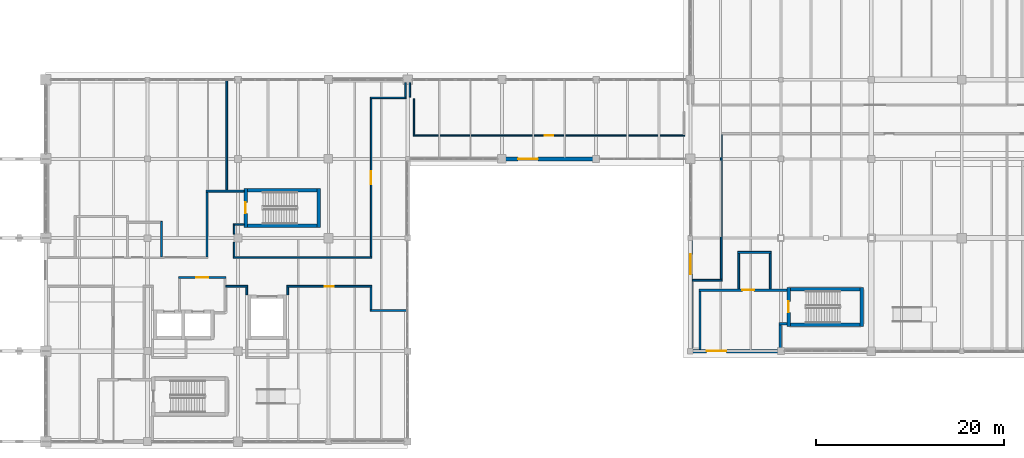
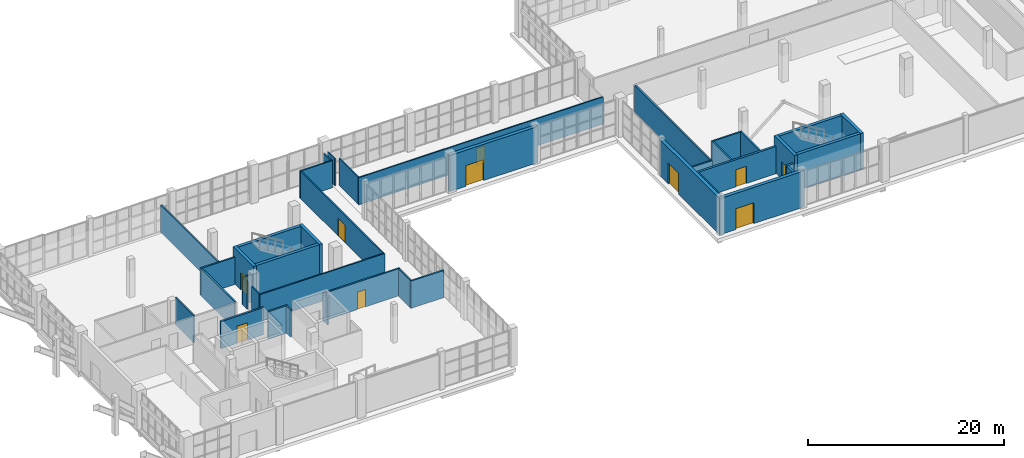
# One storey, part 99 of 121: 41 walls, 10 doors, 10 openings.
"""IFC4 building model written with IfcOpenShell, lengths in metres."""

from ifc_helpers import new_model, si_unit, direction, frame, frame_2d, origin, place, context, subcontext, project, spatial, rectangle, extrude, material, layer, layer_set, type_object, element, fill, save


model = new_model("IFC4")

# Units and contexts
model_context = context("Model", 3, precision=1e-05, world=origin(), true_north=direction((0.0, 1.0)))
body_context = subcontext(model_context, "Body", "Model", "MODEL_VIEW")
ifc_project = project(units=[si_unit("LENGTHUNIT", "METRE"), si_unit("AREAUNIT", "SQUARE_METRE"), si_unit("VOLUMEUNIT", "CUBIC_METRE"), si_unit("PLANEANGLEUNIT", "RADIAN"), si_unit("MASSUNIT", "GRAM", prefix="KILO")], contexts=[model_context])

# Site, building, storey
site_placement = place(None, origin())
site = spatial("IfcSite", under=ifc_project, at=site_placement, CompositionType="ELEMENT")
building_placement = place(site_placement, origin())
building = spatial("IfcBuilding", under=site, at=building_placement, Name="Zereglee Splitstone Museum", CompositionType="ELEMENT")
storey_placement = place(building_placement, origin())
storey = spatial("IfcBuildingStorey", under=building, at=storey_placement, Name="L00", CompositionType="ELEMENT", Elevation=0.0)

# Wall, opening, door
ifc_material_1 = material(Name="Concrete C45/55", Category="concrete")
ifc_layer_1 = layer(ifc_material_1, 0.360107421875)
ifc_layer_set_1 = layer_set([ifc_layer_1], Name="Concrete C45/55")
wall_type_1 = type_object("IfcWallType", Name="CSW-02", PredefinedType="SHEAR", material=ifc_layer_set_1)
wall_1_placement = place(storey_placement, frame((30.820068359375, 22.739990234375, 0.0), z_axis=(0.0, 0.0, 1.0), x_axis=(0.0, 1.0, 0.0)))
wall_1 = element("IfcWall", 1, at=wall_1_placement, inside=storey, type_object=wall_type_1, Name="Stair Core Shear Wall ST-02 L00 West", PredefinedType="SHEAR", context=body_context, shape_type="SweptSolid", body=[
    extrude(rectangle(XDim=4.1201171875, YDim=0.360107421875, at=frame_2d((2.06005859375, 0.0))), origin(), (0.0, 0.0, 1.0), 4.5),
])
opening_1_placement = place(wall_1_placement, frame((1.485107421875, 0.0, 0.0)))
opening_1 = element("IfcOpeningElement", 2, at=opening_1_placement, cuts=wall_1, Name="Opening ID-03", PredefinedType="OPENING", context=body_context, shape_type="SweptSolid", body=[
    extrude(rectangle(XDim=1.14990234375, YDim=2.14990234375, at=frame_2d((0.574951171875, 1.074951171875))), frame((0.0, 0.19482421875, 0.0), z_axis=(0.0, -1.0, 0.0), x_axis=(1.0, 0.0, 0.0)), (0.0, 0.0, 1.0), 0.389892578125),
])
ifc_material_2 = material(Name="Fire-rated steel and Siberian larch leaf", Category="steel")
door_type_1 = type_object("IfcDoorType", Name="ID-03", OperationType="NOTDEFINED", PredefinedType="DOOR", material=ifc_material_2)
door_1_placement = place(opening_1_placement, origin())
door_1 = element("IfcDoor", 3, at=door_1_placement, inside=storey, type_object=door_type_1, Name="Protected Stair Fire Door ST-02 L00", OperationType="SINGLE_SWING_RIGHT", OverallHeight=2.14990234375, OverallWidth=1.14990234375, PredefinedType="DOOR", context=body_context, shape_type="SweptSolid", body=[
    extrude(rectangle(XDim=1.14990234375, YDim=2.14990234375, at=frame_2d((0.574951171875, 1.074951171875))), frame((0.0, 0.02490234375, 0.0), z_axis=(0.0, -1.0, 0.0), x_axis=(1.0, 0.0, 0.0)), (0.0, 0.0, 1.0), 0.050048828125),
])
fill(opening_1, door_1)

# Walls
wall_2_placement = place(storey_placement, frame((38.580078125, 22.739990234375, 0.0), z_axis=(0.0, 0.0, 1.0), x_axis=(0.0, 1.0, 0.0)))
element("IfcWall", 4, at=wall_2_placement, inside=storey, type_object=wall_type_1, Name="Stair Core Shear Wall ST-02 L00 East", PredefinedType="SHEAR", context=body_context, shape_type="SweptSolid", body=[
    extrude(rectangle(XDim=4.1201171875, YDim=0.360107421875, at=frame_2d((2.06005859375, 0.0))), origin(), (0.0, 0.0, 1.0), 4.5),
])
for number, where, z_axis, x_axis, name in (
    (5, (31.0, 26.679931640625, 0.0), (0.0, 0.0, 1.0), (1.0, 0.0, 0.0), "Stair Core Shear Wall ST-02 L00 North"),
    (6, (31.0, 22.919921875, 0.0), (0.0, 0.0, 1.0), (1.0, 0.0, 0.0), "Stair Core Shear Wall ST-02 L00 South"),
):
    element("IfcWall", number, at=place(storey_placement, frame(where, z_axis=z_axis, x_axis=x_axis)), inside=storey, type_object=wall_type_1, Name=name, PredefinedType="SHEAR", context=body_context, shape_type="SweptSolid", body=[
        extrude(rectangle(XDim=7.39990234375, YDim=0.360107421875, at=frame_2d((3.699951171875, 0.0))), origin(), (0.0, 0.0, 1.0), 4.5),
    ])

# Wall, opening, door
wall_3_placement = place(storey_placement, frame((88.419921875, 12.239990234375, 0.0), z_axis=(0.0, 0.0, 1.0), x_axis=(0.0, 1.0, 0.0)))
wall_3 = element("IfcWall", 7, at=wall_3_placement, inside=storey, type_object=wall_type_1, Name="Stair Core Shear Wall ST-06 L00 West", PredefinedType="SHEAR", context=body_context, shape_type="SweptSolid", body=[
    extrude(rectangle(XDim=4.1201171875, YDim=0.360107421875, at=frame_2d((2.06005859375, 0.0))), origin(), (0.0, 0.0, 1.0), 4.5),
])
opening_2_placement = place(wall_3_placement, frame((1.485107421875, 0.0, 0.0)))
opening_2 = element("IfcOpeningElement", 8, at=opening_2_placement, cuts=wall_3, Name="Opening ID-03", PredefinedType="OPENING", context=body_context, shape_type="SweptSolid", body=[
    extrude(rectangle(XDim=1.14990234375, YDim=2.14990234375, at=frame_2d((0.574951171875, 1.074951171875))), frame((0.0, 0.19482421875, 0.0), z_axis=(0.0, -1.0, 0.0), x_axis=(1.0, 0.0, 0.0)), (0.0, 0.0, 1.0), 0.389892578125),
])
door_2_placement = place(opening_2_placement, origin())
door_2 = element("IfcDoor", 9, at=door_2_placement, inside=storey, type_object=door_type_1, Name="Protected Stair Fire Door ST-06 L00", OperationType="SINGLE_SWING_RIGHT", OverallHeight=2.14990234375, OverallWidth=1.14990234375, PredefinedType="DOOR", context=body_context, shape_type="SweptSolid", body=[
    extrude(rectangle(XDim=1.14990234375, YDim=2.14990234375, at=frame_2d((0.574951171875, 1.074951171875))), frame((0.0, 0.02490234375, 0.0), z_axis=(0.0, -1.0, 0.0), x_axis=(1.0, 0.0, 0.0)), (0.0, 0.0, 1.0), 0.050048828125),
])
fill(opening_2, door_2)

# Walls
wall_4_placement = place(storey_placement, frame((96.179931640625, 12.239990234375, 0.0), z_axis=(0.0, 0.0, 1.0), x_axis=(0.0, 1.0, 0.0)))
element("IfcWall", 10, at=wall_4_placement, inside=storey, type_object=wall_type_1, Name="Stair Core Shear Wall ST-06 L00 East", PredefinedType="SHEAR", context=body_context, shape_type="SweptSolid", body=[
    extrude(rectangle(XDim=4.1201171875, YDim=0.360107421875, at=frame_2d((2.06005859375, 0.0))), origin(), (0.0, 0.0, 1.0), 4.5),
])
for number, where, z_axis, x_axis, name in (
    (11, (88.60009765625, 16.179931640625, 0.0), (0.0, 0.0, 1.0), (1.0, 0.0, 0.0), "Stair Core Shear Wall ST-06 L00 North"),
    (12, (88.60009765625, 12.419921875, 0.0), (0.0, 0.0, 1.0), (1.0, 0.0, 0.0), "Stair Core Shear Wall ST-06 L00 South"),
):
    element("IfcWall", number, at=place(storey_placement, frame(where, z_axis=z_axis, x_axis=x_axis)), inside=storey, type_object=wall_type_1, Name=name, PredefinedType="SHEAR", context=body_context, shape_type="SweptSolid", body=[
        extrude(rectangle(XDim=7.39990234375, YDim=0.360107421875, at=frame_2d((3.699951171875, 0.0))), origin(), (0.0, 0.0, 1.0), 4.5),
    ])

# Wall, opening, door
ifc_material_3 = material(Name="Concrete C40/50", Category="concrete")
ifc_layer_2 = layer(ifc_material_3, 0.39990234375)
ifc_layer_set_2 = layer_set([ifc_layer_2], Name="Concrete C40/50")
wall_type_2 = type_object("IfcWallType", Name="EW-02", PredefinedType="STANDARD", material=ifc_layer_set_2)
wall_5_placement = place(storey_placement, frame((57.820068359375, 30.0, 0.0), z_axis=(0.0, 0.0, 1.0), x_axis=(1.0, 0.0, 0.0)))
wall_5 = element("IfcWall", 13, at=wall_5_placement, inside=storey, type_object=wall_type_2, Name="Exterior Backup Wall RC4-EW-L00-0011", PredefinedType="STANDARD", context=body_context, shape_type="SweptSolid", body=[
    extrude(rectangle(XDim=10.35986328125, YDim=0.39990234375, at=frame_2d((5.179931640625, 0.0))), origin(), (0.0, 0.0, 1.0), 4.5),
])
opening_3_placement = place(wall_5_placement, frame((1.89990234375, 0.0, 0.0)))
opening_3 = element("IfcOpeningElement", 14, at=opening_3_placement, cuts=wall_5, Name="Opening ED-02", PredefinedType="OPENING", context=body_context, shape_type="SweptSolid", body=[
    extrude(rectangle(XDim=2.10009765625, YDim=2.60009765625, at=frame_2d((1.050048828125, 1.300048828125))), frame((0.0, 0.21484375, 0.0), z_axis=(0.0, -1.0, 0.0), x_axis=(1.0, 0.0, 0.0)), (0.0, 0.0, 1.0), 0.4296875),
])
ifc_material_4 = material(Name="Anodised bronze-clad thermally broken aluminium", Category="aluminium")
door_type_2 = type_object("IfcDoorType", Name="ED-02", OperationType="DOUBLE_DOOR_SINGLE_SWING", PredefinedType="DOOR", material=ifc_material_4)
door_3_placement = place(opening_3_placement, frame((2.10009765625, 0.0, 0.0), z_axis=(0.0, 0.0, 1.0), x_axis=(-1.0, 0.0, 0.0)))
door_3 = element("IfcDoor", 15, at=door_3_placement, inside=storey, type_object=door_type_2, Name="Ground Protected Exit Door ED-L00-10", OperationType="DOUBLE_DOOR_SINGLE_SWING", OverallHeight=2.60009765625, OverallWidth=2.10009765625, PredefinedType="DOOR", context=body_context, shape_type="SweptSolid", body=[
    extrude(rectangle(XDim=2.10009765625, YDim=2.60009765625, at=frame_2d((1.050048828125, 1.300048828125))), frame((0.0, 0.02490234375, 0.0), z_axis=(0.0, -1.0, 0.0), x_axis=(1.0, 0.0, 0.0)), (0.0, 0.0, 1.0), 0.050048828125),
])
fill(opening_3, door_3)

wall_6_placement = place(storey_placement, frame((78.0, 21.780029296875, 0.0), z_axis=(0.0, 0.0, 1.0), x_axis=(0.0, -1.0, 0.0)))
wall_6 = element("IfcWall", 16, at=wall_6_placement, inside=storey, type_object=wall_type_2, Name="Exterior Backup Wall RC4-EW-L00-0012", PredefinedType="STANDARD", context=body_context, shape_type="SweptSolid", body=[
    extrude(rectangle(XDim=12.360107421875, YDim=0.39990234375, at=frame_2d((6.18017578125, 0.0))), origin(), (0.0, 0.0, 1.0), 4.5),
])
opening_4_placement = place(wall_6_placement, frame((1.89990234375, 0.0, 0.0)))
opening_4 = element("IfcOpeningElement", 17, at=opening_4_placement, cuts=wall_6, Name="Opening ED-02", PredefinedType="OPENING", context=body_context, shape_type="SweptSolid", body=[
    extrude(rectangle(XDim=2.10009765625, YDim=2.60009765625, at=frame_2d((1.050048828125, 1.300048828125))), frame((0.0, 0.21484375, 0.0), z_axis=(0.0, -1.0, 0.0), x_axis=(1.0, 0.0, 0.0)), (0.0, 0.0, 1.0), 0.4296875),
])
door_4_placement = place(opening_4_placement, frame((2.10009765625, 0.0, 0.0), z_axis=(0.0, 0.0, 1.0), x_axis=(-1.0, 0.0, 0.0)))
door_4 = element("IfcDoor", 18, at=door_4_placement, inside=storey, type_object=door_type_2, Name="Ground Protected Exit Door ED-L00-11", OperationType="DOUBLE_DOOR_SINGLE_SWING", OverallHeight=2.60009765625, OverallWidth=2.10009765625, PredefinedType="DOOR", context=body_context, shape_type="SweptSolid", body=[
    extrude(rectangle(XDim=2.10009765625, YDim=2.60009765625, at=frame_2d((1.050048828125, 1.300048828125))), frame((0.0, 0.02490234375, 0.0), z_axis=(0.0, -1.0, 0.0), x_axis=(1.0, 0.0, 0.0)), (0.0, 0.0, 1.0), 0.050048828125),
])
fill(opening_4, door_4)

wall_7_placement = place(storey_placement, frame((77.820068359375, 9.60009765625, 0.0), z_axis=(0.0, 0.0, 1.0), x_axis=(1.0, 0.0, 0.0)))
wall_7 = element("IfcWall", 19, at=wall_7_placement, inside=storey, type_object=wall_type_2, Name="Exterior Backup Wall RC4-EW-L00-0013", PredefinedType="STANDARD", context=body_context, shape_type="SweptSolid", body=[
    extrude(rectangle(XDim=9.9599609375, YDim=0.39990234375, at=frame_2d((4.97998046875, 0.0))), origin(), (0.0, 0.0, 1.0), 4.5),
])
opening_5_placement = place(wall_7_placement, frame((1.89990234375, 0.0, 0.0)))
opening_5 = element("IfcOpeningElement", 20, at=opening_5_placement, cuts=wall_7, Name="Opening ED-02", PredefinedType="OPENING", context=body_context, shape_type="SweptSolid", body=[
    extrude(rectangle(XDim=2.10009765625, YDim=2.60009765625, at=frame_2d((1.050048828125, 1.300048828125))), frame((0.0, 0.21484375, 0.0), z_axis=(0.0, -1.0, 0.0), x_axis=(1.0, 0.0, 0.0)), (0.0, 0.0, 1.0), 0.4296875),
])
door_5_placement = place(opening_5_placement, frame((2.10009765625, 0.0, 0.0), z_axis=(0.0, 0.0, 1.0), x_axis=(-1.0, 0.0, 0.0)))
door_5 = element("IfcDoor", 21, at=door_5_placement, inside=storey, type_object=door_type_2, Name="Ground Protected Exit Door ED-L00-12", OperationType="DOUBLE_DOOR_SINGLE_SWING", OverallHeight=2.60009765625, OverallWidth=2.10009765625, PredefinedType="DOOR", context=body_context, shape_type="SweptSolid", body=[
    extrude(rectangle(XDim=2.10009765625, YDim=2.60009765625, at=frame_2d((1.050048828125, 1.300048828125))), frame((0.0, 0.02490234375, 0.0), z_axis=(0.0, -1.0, 0.0), x_axis=(1.0, 0.0, 0.0)), (0.0, 0.0, 1.0), 0.050048828125),
])
fill(opening_5, door_5)

# Wall
ifc_layer_3 = layer(ifc_material_3, 0.25)
ifc_layer_set_3 = layer_set([ifc_layer_3], Name="Concrete C40/50")
wall_type_3 = type_object("IfcWallType", Name="IW-03", PredefinedType="PARTITIONING", material=ifc_layer_set_3)
wall_8_placement = place(storey_placement, frame((87.39501953125, 12.52001953125, 0.0), z_axis=(0.0, 0.0, 1.0), x_axis=(1.0, 0.0, 0.0)))
element("IfcWall", 22, at=wall_8_placement, inside=storey, type_object=wall_type_3, Name="Interior Partition L00-0166 (Protected Exit Passageway ST-06)", PredefinedType="PARTITIONING", context=body_context, shape_type="SweptSolid", body=[
    extrude(rectangle(XDim=0.844970703125, YDim=0.25, at=frame_2d((0.42236328125, 0.0))), origin(), (0.0, 0.0, 1.0), 3.3798828125),
])

# Wall, opening, door
wall_9_placement = place(storey_placement, frame((78.89501953125, 16.080078125, 0.0), z_axis=(0.0, 0.0, 1.0), x_axis=(1.0, 0.0, 0.0)))
wall_9 = element("IfcWall", 23, at=wall_9_placement, inside=storey, type_object=wall_type_3, Name="Interior Partition L00-0172 (Protected Exit Passageway ST-06)", PredefinedType="PARTITIONING", context=body_context, shape_type="SweptSolid", body=[
    extrude(rectangle(XDim=9.344970703125, YDim=0.25, at=frame_2d((4.67236328125, 0.0))), origin(), (0.0, 0.0, 1.0), 3.3798828125),
])
opening_6_placement = place(wall_9_placement, frame((4.608154296875, 0.0, 0.0)))
opening_6 = element("IfcOpeningElement", 24, at=opening_6_placement, cuts=wall_9, Name="Opening ID-04", PredefinedType="OPENING", context=body_context, shape_type="SweptSolid", body=[
    extrude(rectangle(XDim=1.25, YDim=2.14990234375, at=frame_2d((0.625, 1.074951171875))), frame((0.0, 0.139892578125, 0.0), z_axis=(0.0, -1.0, 0.0), x_axis=(1.0, 0.0, 0.0)), (0.0, 0.0, 1.0), 0.27978515625),
])
door_type_3 = type_object("IfcDoorType", Name="ID-04", OperationType="NOTDEFINED", PredefinedType="DOOR", material=ifc_material_2)
door_6_placement = place(opening_6_placement, frame((1.25, 0.0, 0.0), z_axis=(0.0, 0.0, 1.0), x_axis=(-1.0, 0.0, 0.0)))
door_6 = element("IfcDoor", 25, at=door_6_placement, inside=storey, type_object=door_type_3, Name="Interior Door L00-0027 (Protected Exit Passageway ST-06)", OperationType="SINGLE_SWING_RIGHT", OverallHeight=2.14990234375, OverallWidth=1.25, PredefinedType="DOOR", context=body_context, shape_type="SweptSolid", body=[
    extrude(rectangle(XDim=1.25, YDim=2.14990234375, at=frame_2d((0.625, 1.074951171875))), frame((0.0, 0.02490234375, 0.0), z_axis=(0.0, -1.0, 0.0), x_axis=(1.0, 0.0, 0.0)), (0.0, 0.0, 1.0), 0.050048828125),
])
fill(opening_6, door_6)

# Walls
wall_10_placement = place(storey_placement, frame((79.02001953125, 9.800048828125, 0.0), z_axis=(0.0, 0.0, 1.0), x_axis=(0.0, 1.0, 0.0)))
element("IfcWall", 26, at=wall_10_placement, inside=storey, type_object=wall_type_3, Name="Interior Partition L00-0259 (Protected Exit Passageway ST-06)", PredefinedType="PARTITIONING", context=body_context, shape_type="SweptSolid", body=[
    extrude(rectangle(XDim=6.155029296875, YDim=0.25, at=frame_2d((3.07763671875, 0.0))), origin(), (0.0, 0.0, 1.0), 3.3798828125),
])
wall_11_placement = place(storey_placement, frame((87.52001953125, 9.800048828125, 0.0), z_axis=(0.0, 0.0, 1.0), x_axis=(0.0, 1.0, 0.0)))
element("IfcWall", 27, at=wall_11_placement, inside=storey, type_object=wall_type_3, Name="Interior Partition L00-0263 (Protected Exit Passageway ST-06)", PredefinedType="PARTITIONING", context=body_context, shape_type="SweptSolid", body=[
    extrude(rectangle(XDim=2.800048828125, YDim=0.25, at=frame_2d((1.39990234375, 0.0))), origin(), (0.0, 0.0, 1.0), 3.3798828125),
])
ifc_material_5 = material(Name="Fire-rated gypsum board partition", Category="masonry")
ifc_layer_4 = layer(ifc_material_5, 0.159912109375)
ifc_layer_set_4 = layer_set([ifc_layer_4], Name="Fire-rated gypsum board partition")
wall_type_4 = type_object("IfcWallType", Name="IW-04", PredefinedType="PARTITIONING", material=ifc_layer_set_4)
wall_12_placement = place(storey_placement, frame((29.5, 19.52001953125, 0.0), z_axis=(0.0, 0.0, 1.0), x_axis=(1.0, 0.0, 0.0)))
element("IfcWall", 28, at=wall_12_placement, inside=storey, type_object=wall_type_4, Name="Interior Partition L00-0184 (Fire Command and Control Room)", PredefinedType="PARTITIONING", context=body_context, shape_type="SweptSolid", body=[
    extrude(rectangle(XDim=14.699951171875, YDim=0.159912109375, at=frame_2d((7.35009765625, 0.0))), origin(), (0.0, 0.0, 1.0), 3.3798828125),
])
wall_13_placement = place(storey_placement, frame((29.5, 23.02001953125, 0.0), z_axis=(0.0, 0.0, 1.0), x_axis=(1.0, 0.0, 0.0)))
element("IfcWall", 29, at=wall_13_placement, inside=storey, type_object=wall_type_4, Name="Interior Partition L00-0196 (Fire Command and Control Room)", PredefinedType="PARTITIONING", context=body_context, shape_type="SweptSolid", body=[
    extrude(rectangle(XDim=1.139892578125, YDim=0.159912109375, at=frame_2d((0.56982421875, 0.0))), origin(), (0.0, 0.0, 1.0), 3.3798828125),
])
wall_14_placement = place(storey_placement, frame((44.0400390625, 36.47998046875, 0.0), z_axis=(0.0, 0.0, 1.0), x_axis=(1.0, 0.0, 0.0)))
element("IfcWall", 30, at=wall_14_placement, inside=storey, type_object=wall_type_4, Name="Interior Partition L00-0215 (Fire Command and Control Room)", PredefinedType="PARTITIONING", context=body_context, shape_type="SweptSolid", body=[
    extrude(rectangle(XDim=3.800048828125, YDim=0.159912109375, at=frame_2d((1.89990234375, 0.0))), origin(), (0.0, 0.0, 1.0), 3.3798828125),
])
wall_15_placement = place(storey_placement, frame((29.580078125, 19.60009765625, 0.0), z_axis=(0.0, 0.0, 1.0), x_axis=(0.0, 1.0, 0.0)))
element("IfcWall", 31, at=wall_15_placement, inside=storey, type_object=wall_type_4, Name="Interior Partition L00-0245 (Fire Command and Control Room)", PredefinedType="PARTITIONING", context=body_context, shape_type="SweptSolid", body=[
    extrude(rectangle(XDim=1.574951171875, YDim=0.159912109375, at=frame_2d((0.78759765625, 0.0))), origin(), (0.0, 0.0, 1.0), 3.3798828125),
])
wall_16_placement = place(storey_placement, frame((29.580078125, 22.02490234375, 0.0), z_axis=(0.0, 0.0, 1.0), x_axis=(0.0, 1.0, 0.0)))
element("IfcWall", 32, at=wall_16_placement, inside=storey, type_object=wall_type_4, Name="Interior Partition L00-0246 (Fire Command and Control Room)", PredefinedType="PARTITIONING", context=body_context, shape_type="SweptSolid", body=[
    extrude(rectangle(XDim=0.9150390625, YDim=0.159912109375, at=frame_2d((0.45751953125, 0.0))), origin(), (0.0, 0.0, 1.0), 3.3798828125),
])

# Wall, opening, door
wall_17_placement = place(storey_placement, frame((44.1201171875, 19.60009765625, 0.0), z_axis=(0.0, 0.0, 1.0), x_axis=(0.0, 1.0, 0.0)))
wall_17 = element("IfcWall", 33, at=wall_17_placement, inside=storey, type_object=wall_type_4, Name="Interior Partition L00-0252 (Fire Command and Control Room)", PredefinedType="PARTITIONING", context=body_context, shape_type="SweptSolid", body=[
    extrude(rectangle(XDim=16.7998046875, YDim=0.159912109375, at=frame_2d((8.39990234375, 0.0))), origin(), (0.0, 0.0, 1.0), 3.3798828125),
])
opening_7_placement = place(wall_17_placement, frame((7.72509765625, 0.0, 0.0)))
opening_7 = element("IfcOpeningElement", 34, at=opening_7_placement, cuts=wall_17, Name="Opening ID-08", PredefinedType="OPENING", context=body_context, shape_type="SweptSolid", body=[
    extrude(rectangle(XDim=1.35009765625, YDim=2.199951171875, at=frame_2d((0.675048828125, 1.10009765625))), frame((0.0, 0.0947265625, 0.0), z_axis=(0.0, -1.0, 0.0), x_axis=(1.0, 0.0, 0.0)), (0.0, 0.0, 1.0), 0.189697265625),
])
door_type_4 = type_object("IfcDoorType", Name="ID-08", OperationType="NOTDEFINED", PredefinedType="DOOR", material=ifc_material_2)
door_7_placement = place(opening_7_placement, origin())
door_7 = element("IfcDoor", 35, at=door_7_placement, inside=storey, type_object=door_type_4, Name="Interior Door L00-0035 (Fire Command and Control Room)", OperationType="SINGLE_SWING_RIGHT", OverallHeight=2.199951171875, OverallWidth=1.35009765625, PredefinedType="DOOR", context=body_context, shape_type="SweptSolid", body=[
    extrude(rectangle(XDim=1.35009765625, YDim=2.199951171875, at=frame_2d((0.675048828125, 1.10009765625))), frame((0.0, 0.02490234375, 0.0), z_axis=(0.0, -1.0, 0.0), x_axis=(1.0, 0.0, 0.0)), (0.0, 0.0, 1.0), 0.050048828125),
])
fill(opening_7, door_7)

# Wall
wall_18_placement = place(storey_placement, frame((47.760009765625, 36.56005859375, 0.0), z_axis=(0.0, 0.0, 1.0), x_axis=(0.0, 1.0, 0.0)))
element("IfcWall", 36, at=wall_18_placement, inside=storey, type_object=wall_type_4, Name="Interior Partition L00-0253 (Fire Command and Control Room)", PredefinedType="PARTITIONING", context=body_context, shape_type="SweptSolid", body=[
    extrude(rectangle(XDim=1.52001953125, YDim=0.159912109375, at=frame_2d((0.760009765625, 0.0))), origin(), (0.0, 0.0, 1.0), 3.3798828125),
])

# Wall, opening, door
ifc_layer_5 = layer(ifc_material_5, 0.139892578125)
ifc_layer_set_5 = layer_set([ifc_layer_5], Name="Fire-rated gypsum board partition")
wall_type_5 = type_object("IfcWallType", Name="IW-05", PredefinedType="PARTITIONING", material=ifc_layer_set_5)
wall_19_placement = place(storey_placement, frame((48.610107421875, 32.47998046875, 0.0), z_axis=(0.0, 0.0, 1.0), x_axis=(1.0, 0.0, 0.0)))
wall_19 = element("IfcWall", 37, at=wall_19_placement, inside=storey, type_object=wall_type_5, Name="Interior Partition L00-0206 (Museum Shop)", PredefinedType="PARTITIONING", context=body_context, shape_type="SweptSolid", body=[
    extrude(rectangle(XDim=28.77978515625, YDim=0.139892578125, at=frame_2d((14.389892578125, 0.0))), origin(), (0.0, 0.0, 1.0), 3.3798828125),
])
opening_8_placement = place(wall_19_placement, frame((13.9150390625, 0.0, 0.0)))
opening_8 = element("IfcOpeningElement", 38, at=opening_8_placement, cuts=wall_19, Name="Opening ID-11", PredefinedType="OPENING", context=body_context, shape_type="SweptSolid", body=[
    extrude(rectangle(XDim=0.949951171875, YDim=2.14990234375, at=frame_2d((0.47509765625, 1.074951171875))), frame((0.0, 0.0849609375, 0.0), z_axis=(0.0, -1.0, 0.0), x_axis=(1.0, 0.0, 0.0)), (0.0, 0.0, 1.0), 0.169677734375),
])
ifc_material_6 = material(Name="Siberian larch acoustic timber leaf in bronze-steel frame", Category="steel")
door_type_5 = type_object("IfcDoorType", Name="ID-11", OperationType="NOTDEFINED", PredefinedType="DOOR", material=ifc_material_6)
door_8_placement = place(opening_8_placement, origin())
door_8 = element("IfcDoor", 39, at=door_8_placement, inside=storey, type_object=door_type_5, Name="Interior Door L00-0036 (Museum Shop)", OperationType="SINGLE_SWING_LEFT", OverallHeight=2.14990234375, OverallWidth=0.949951171875, PredefinedType="DOOR", context=body_context, shape_type="SweptSolid", body=[
    extrude(rectangle(XDim=0.949951171875, YDim=2.14990234375, at=frame_2d((0.47509765625, 1.074951171875))), frame((0.0, 0.02490234375, 0.0), z_axis=(0.0, -1.0, 0.0), x_axis=(1.0, 0.0, 0.0)), (0.0, 0.0, 1.0), 0.050048828125),
])
fill(opening_8, door_8)

# Walls
wall_20_placement = place(storey_placement, frame((48.239990234375, 36.56005859375, 0.0), z_axis=(0.0, 0.0, 1.0), x_axis=(0.0, 1.0, 0.0)))
element("IfcWall", 40, at=wall_20_placement, inside=storey, type_object=wall_type_5, Name="Interior Partition L00-0254 (Museum Shop)", PredefinedType="PARTITIONING", context=body_context, shape_type="SweptSolid", body=[
    extrude(rectangle(XDim=1.52001953125, YDim=0.139892578125, at=frame_2d((0.760009765625, 0.0))), origin(), (0.0, 0.0, 1.0), 3.3798828125),
])
wall_21_placement = place(storey_placement, frame((48.679931640625, 32.550048828125, 0.0), z_axis=(0.0, 0.0, 1.0), x_axis=(0.0, 1.0, 0.0)))
element("IfcWall", 41, at=wall_21_placement, inside=storey, type_object=wall_type_5, Name="Interior Partition L00-0255 (Museum Shop)", PredefinedType="PARTITIONING", context=body_context, shape_type="SweptSolid", body=[
    extrude(rectangle(XDim=3.849853515625, YDim=0.139892578125, at=frame_2d((1.9248046875, 0.0))), origin(), (0.0, 0.0, 1.0), 3.3798828125),
])

# Wall, opening, door
ifc_material_7 = material(Name="Concrete C35/45", Category="concrete")
ifc_layer_6 = layer(ifc_material_7, 0.219970703125)
ifc_layer_set_6 = layer_set([ifc_layer_6], Name="Concrete C35/45")
wall_type_6 = type_object("IfcWallType", Name="IW-01", PredefinedType="PARTITIONING", material=ifc_layer_set_6)
wall_22_placement = place(storey_placement, frame((23.68994140625, 17.39990234375, 0.0), z_axis=(0.0, 0.0, 1.0), x_axis=(1.0, 0.0, 0.0)))
wall_22 = element("IfcWall", 42, at=wall_22_placement, inside=storey, type_object=wall_type_6, Name="Firefighting Lobby Wall L00 North", PredefinedType="PARTITIONING", context=body_context, shape_type="SweptSolid", body=[
    extrude(rectangle(XDim=5.02001953125, YDim=0.219970703125, at=frame_2d((2.510009765625, 0.0))), origin(), (0.0, 0.0, 1.0), 3.3798828125),
])
opening_9_placement = place(wall_22_placement, frame((1.885009765625, 0.0, 0.0)))
opening_9 = element("IfcOpeningElement", 43, at=opening_9_placement, cuts=wall_22, Name="Opening ID-04", PredefinedType="OPENING", context=body_context, shape_type="SweptSolid", body=[
    extrude(rectangle(XDim=1.25, YDim=2.14990234375, at=frame_2d((0.625, 1.074951171875))), frame((0.0, 0.125, 0.0), z_axis=(0.0, -1.0, 0.0), x_axis=(1.0, 0.0, 0.0)), (0.0, 0.0, 1.0), 0.249755859375),
])
door_9_placement = place(opening_9_placement, origin())
door_9 = element("IfcDoor", 44, at=door_9_placement, inside=storey, type_object=door_type_3, Name="Firefighting Lobby Fire Door L00", OperationType="SINGLE_SWING_LEFT", OverallHeight=2.14990234375, OverallWidth=1.25, PredefinedType="DOOR", context=body_context, shape_type="SweptSolid", body=[
    extrude(rectangle(XDim=1.25, YDim=2.14990234375, at=frame_2d((0.625, 1.074951171875))), frame((0.0, 0.02490234375, 0.0), z_axis=(0.0, -1.0, 0.0), x_axis=(1.0, 0.0, 0.0)), (0.0, 0.0, 1.0), 0.050048828125),
])
fill(opening_9, door_9)

# Walls
ifc_material_8 = material(Name="Gypsum board on acoustic steel stud", Category="steel")
ifc_layer_7 = layer(ifc_material_8, 0.18994140625)
ifc_layer_set_7 = layer_set([ifc_layer_7], Name="Gypsum board on acoustic steel stud")
wall_type_7 = type_object("IfcWallType", Name="IW-02", PredefinedType="PARTITIONING", material=ifc_layer_set_7)
wall_23_placement = place(storey_placement, frame((44.02490234375, 13.919921875, 0.0), z_axis=(0.0, 0.0, 1.0), x_axis=(1.0, 0.0, 0.0)))
element("IfcWall", 45, at=wall_23_placement, inside=storey, type_object=wall_type_7, Name="Interior Partition L00-0171 (Pishtaq Grand Entrance Foyer)", PredefinedType="PARTITIONING", context=body_context, shape_type="SweptSolid", body=[
    extrude(rectangle(XDim=3.885009765625, YDim=0.18994140625, at=frame_2d((1.9423828125, 0.0))), origin(), (0.0, 0.0, 1.0), 3.3798828125),
])
wall_24_placement = place(storey_placement, frame((28.7099609375, 16.47998046875, 0.0), z_axis=(0.0, 0.0, 1.0), x_axis=(1.0, 0.0, 0.0)))
element("IfcWall", 46, at=wall_24_placement, inside=storey, type_object=wall_type_7, Name="Interior Partition L00-0175 (Pishtaq Grand Entrance Foyer)", PredefinedType="PARTITIONING", context=body_context, shape_type="SweptSolid", body=[
    extrude(rectangle(XDim=2.304931640625, YDim=0.18994140625, at=frame_2d((1.15234375, 0.0))), origin(), (0.0, 0.0, 1.0), 3.3798828125),
])

# Wall, opening, door
wall_25_placement = place(storey_placement, frame((35.18505859375, 16.47998046875, 0.0), z_axis=(0.0, 0.0, 1.0), x_axis=(1.0, 0.0, 0.0)))
wall_25 = element("IfcWall", 47, at=wall_25_placement, inside=storey, type_object=wall_type_7, Name="Interior Partition L00-0176 (Pishtaq Grand Entrance Foyer)", PredefinedType="PARTITIONING", context=body_context, shape_type="SweptSolid", body=[
    extrude(rectangle(XDim=9.030029296875, YDim=0.18994140625, at=frame_2d((4.51513671875, 0.0))), origin(), (0.0, 0.0, 1.0), 3.3798828125),
])
opening_10_placement = place(wall_25_placement, frame((4.0400390625, 0.0, 0.0)))
opening_10 = element("IfcOpeningElement", 48, at=opening_10_placement, cuts=wall_25, Name="Opening ID-11", PredefinedType="OPENING", context=body_context, shape_type="SweptSolid", body=[
    extrude(rectangle(XDim=0.949951171875, YDim=2.14990234375, at=frame_2d((0.47509765625, 1.074951171875))), frame((0.0, 0.10986328125, 0.0), z_axis=(0.0, -1.0, 0.0), x_axis=(1.0, 0.0, 0.0)), (0.0, 0.0, 1.0), 0.2197265625),
])
door_10_placement = place(opening_10_placement, frame((0.949951171875, 0.0, 0.0), z_axis=(0.0, 0.0, 1.0), x_axis=(-1.0, 0.0, 0.0)))
door_10 = element("IfcDoor", 49, at=door_10_placement, inside=storey, type_object=door_type_5, Name="Interior Door L00-0032 (Pishtaq Grand Entrance Foyer)", OperationType="SINGLE_SWING_LEFT", OverallHeight=2.14990234375, OverallWidth=0.949951171875, PredefinedType="DOOR", context=body_context, shape_type="SweptSolid", body=[
    extrude(rectangle(XDim=0.949951171875, YDim=2.14990234375, at=frame_2d((0.47509765625, 1.074951171875))), frame((0.0, 0.02490234375, 0.0), z_axis=(0.0, -1.0, 0.0), x_axis=(1.0, 0.0, 0.0)), (0.0, 0.0, 1.0), 0.050048828125),
])
fill(opening_10, door_10)

# Walls
wall_26_placement = place(storey_placement, frame((78.199951171875, 17.1201171875, 0.0), z_axis=(0.0, 0.0, 1.0), x_axis=(1.0, 0.0, 0.0)))
element("IfcWall", 50, at=wall_26_placement, inside=storey, type_object=wall_type_7, Name="Interior Partition L00-0179 (Winter Atrium Concourse)", PredefinedType="PARTITIONING", context=body_context, shape_type="SweptSolid", body=[
    extrude(rectangle(XDim=3.175048828125, YDim=0.18994140625, at=frame_2d((1.58740234375, 0.0))), origin(), (0.0, 0.0, 1.0), 3.3798828125),
])
wall_27_placement = place(storey_placement, frame((83.02490234375, 20.080078125, 0.0), z_axis=(0.0, 0.0, 1.0), x_axis=(1.0, 0.0, 0.0)))
element("IfcWall", 51, at=wall_27_placement, inside=storey, type_object=wall_type_7, Name="Interior Partition L00-0185 (Winter Atrium Concourse)", PredefinedType="PARTITIONING", context=body_context, shape_type="SweptSolid", body=[
    extrude(rectangle(XDim=3.550048828125, YDim=0.18994140625, at=frame_2d((1.77490234375, 0.0))), origin(), (0.0, 0.0, 1.0), 3.3798828125),
])
wall_28_placement = place(storey_placement, frame((26.625, 26.580078125, 0.0), z_axis=(0.0, 0.0, 1.0), x_axis=(1.0, 0.0, 0.0)))
element("IfcWall", 52, at=wall_28_placement, inside=storey, type_object=wall_type_7, Name="Interior Partition L00-0200 (Gobi Megafauna Exhibition Hall)", PredefinedType="PARTITIONING", context=body_context, shape_type="SweptSolid", body=[
    extrude(rectangle(XDim=4.014892578125, YDim=0.18994140625, at=frame_2d((2.00732421875, 0.0))), origin(), (0.0, 0.0, 1.0), 3.3798828125),
])
wall_29_placement = place(storey_placement, frame((21.8798828125, 19.614990234375, 0.0), z_axis=(0.0, 0.0, 1.0), x_axis=(0.0, 1.0, 0.0)))
element("IfcWall", 53, at=wall_29_placement, inside=storey, type_object=wall_type_7, Name="Interior Partition L00-0241 (Accessible Toilet)", PredefinedType="PARTITIONING", context=body_context, shape_type="SweptSolid", body=[
    extrude(rectangle(XDim=3.755126953125, YDim=0.18994140625, at=frame_2d((1.87744140625, 0.0))), origin(), (0.0, 0.0, 1.0), 3.3798828125),
])
wall_30_placement = place(storey_placement, frame((26.719970703125, 19.614990234375, 0.0), z_axis=(0.0, 0.0, 1.0), x_axis=(0.0, 1.0, 0.0)))
element("IfcWall", 54, at=wall_30_placement, inside=storey, type_object=wall_type_7, Name="Interior Partition L00-0243 (Gobi Megafauna Exhibition Hall)", PredefinedType="PARTITIONING", context=body_context, shape_type="SweptSolid", body=[
    extrude(rectangle(XDim=6.8701171875, YDim=0.18994140625, at=frame_2d((3.43505859375, 0.0))), origin(), (0.0, 0.0, 1.0), 3.3798828125),
])
wall_31_placement = place(storey_placement, frame((28.800048828125, 26.675048828125, 0.0), z_axis=(0.0, 0.0, 1.0), x_axis=(0.0, 1.0, 0.0)))
element("IfcWall", 55, at=wall_31_placement, inside=storey, type_object=wall_type_7, Name="Interior Partition L00-0244 (Gobi Megafauna Exhibition Hall)", PredefinedType="PARTITIONING", context=body_context, shape_type="SweptSolid", body=[
    extrude(rectangle(XDim=11.635009765625, YDim=0.18994140625, at=frame_2d((5.8173828125, 0.0))), origin(), (0.0, 0.0, 1.0), 3.3798828125),
])
for number, where, z_axis, x_axis, name in (
    (56, (30.919921875, 15.56005859375, 0.0), (0.0, 0.0, 1.0), (0.0, 1.0, 0.0), "Interior Partition L00-0248 (Pishtaq Grand Entrance Foyer)"),
    (57, (35.280029296875, 15.56005859375, 0.0), (0.0, 0.0, 1.0), (0.0, 1.0, 0.0), "Interior Partition L00-0250 (Pishtaq Grand Entrance Foyer)"),
):
    element("IfcWall", number, at=place(storey_placement, frame(where, z_axis=z_axis, x_axis=x_axis)), inside=storey, type_object=wall_type_7, Name=name, PredefinedType="PARTITIONING", context=body_context, shape_type="SweptSolid", body=[
        extrude(rectangle(XDim=0.824951171875, YDim=0.18994140625, at=frame_2d((0.41259765625, 0.0))), origin(), (0.0, 0.0, 1.0), 3.3798828125),
    ])
wall_32_placement = place(storey_placement, frame((44.1201171875, 14.014892578125, 0.0), z_axis=(0.0, 0.0, 1.0), x_axis=(0.0, 1.0, 0.0)))
element("IfcWall", 58, at=wall_32_placement, inside=storey, type_object=wall_type_7, Name="Interior Partition L00-0251 (Pishtaq Grand Entrance Foyer)", PredefinedType="PARTITIONING", context=body_context, shape_type="SweptSolid", body=[
    extrude(rectangle(XDim=2.3701171875, YDim=0.18994140625, at=frame_2d((1.18505859375, 0.0))), origin(), (0.0, 0.0, 1.0), 3.3798828125),
])
wall_33_placement = place(storey_placement, frame((81.280029296875, 17.215087890625, 0.0), z_axis=(0.0, 0.0, 1.0), x_axis=(0.0, 1.0, 0.0)))
element("IfcWall", 59, at=wall_33_placement, inside=storey, type_object=wall_type_7, Name="Interior Partition L00-0260 (Winter Atrium Concourse)", PredefinedType="PARTITIONING", context=body_context, shape_type="SweptSolid", body=[
    extrude(rectangle(XDim=15.369873046875, YDim=0.18994140625, at=frame_2d((7.68505859375, 0.0))), origin(), (0.0, 0.0, 1.0), 3.3798828125),
])
for number, where, z_axis, x_axis, name in (
    (60, (83.1201171875, 16.205078125, 0.0), (0.0, 0.0, 1.0), (0.0, 1.0, 0.0), "Interior Partition L00-0261 (Winter Atrium Concourse)"),
    (61, (86.47998046875, 16.205078125, 0.0), (0.0, 0.0, 1.0), (0.0, 1.0, 0.0), "Interior Partition L00-0262 (Winter Atrium Concourse)"),
):
    element("IfcWall", number, at=place(storey_placement, frame(where, z_axis=z_axis, x_axis=x_axis)), inside=storey, type_object=wall_type_7, Name=name, PredefinedType="PARTITIONING", context=body_context, shape_type="SweptSolid", body=[
        extrude(rectangle(XDim=3.780029296875, YDim=0.18994140625, at=frame_2d((1.89013671875, 0.0))), origin(), (0.0, 0.0, 1.0), 3.3798828125),
    ])

save(model, "model.ifc")
